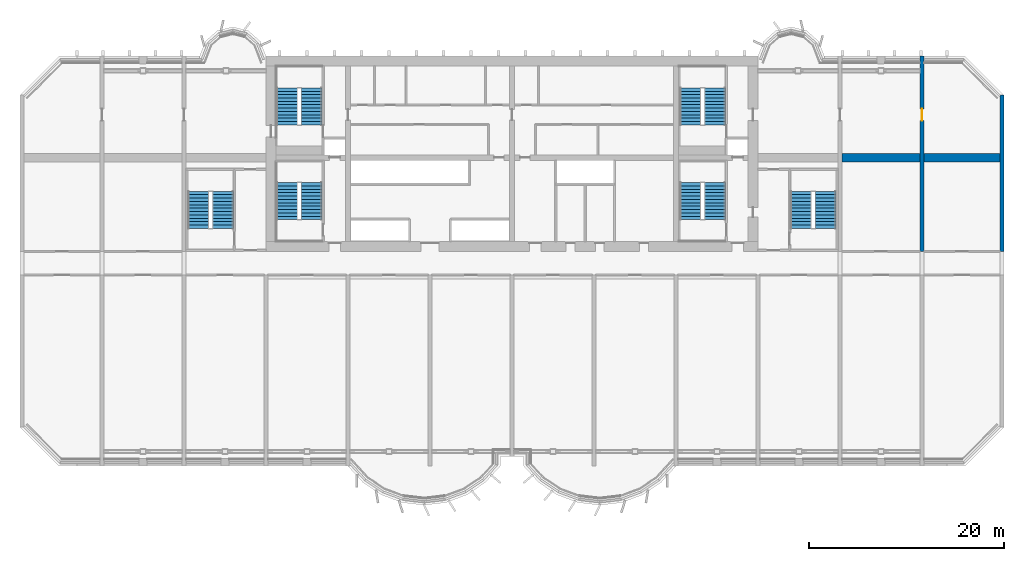
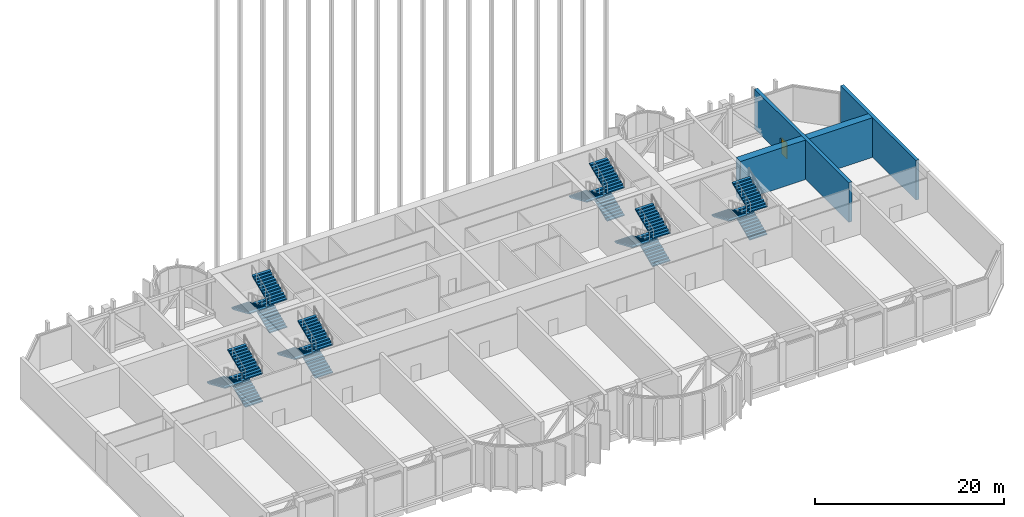
# One storey, part 9 of 17: 18 stair flights, 4 walls, 1 door, 1 opening, 6 elements without a shape of their own.
"""IFC4 building model written with IfcOpenShell, lengths in metres."""

from ifc_helpers import new_model, si_unit, direction, frame, frame_2d, origin, place, context, subcontext, project, spatial, polyline, rectangle, outline, extrude, source, transform, mapped, material, layer, layer_set, type_object, element, fill, aggregate, save


model = new_model("IFC4")

# Units and contexts
model_context = context("Model", 3, precision=1e-05, world=origin(), true_north=direction((0.0, 1.0)))
body_context = subcontext(model_context, "Body", "Model", "MODEL_VIEW")
ifc_project = project(units=[si_unit("LENGTHUNIT", "METRE"), si_unit("AREAUNIT", "SQUARE_METRE"), si_unit("VOLUMEUNIT", "CUBIC_METRE"), si_unit("PLANEANGLEUNIT", "RADIAN"), si_unit("MASSUNIT", "GRAM", prefix="KILO")], contexts=[model_context])

# Site, building, storey
site_placement = place(None, origin())
site = spatial("IfcSite", under=ifc_project, at=site_placement, CompositionType="ELEMENT")
building_placement = place(site_placement, origin())
building = spatial("IfcBuilding", under=site, at=building_placement, Name="Vanashikhar Sky Hotel", CompositionType="ELEMENT")
storey_placement = place(building_placement, frame((0.0, 0.0, 81.0)))
storey = spatial("IfcBuildingStorey", under=building, at=storey_placement, Name="L19", CompositionType="ELEMENT", Elevation=81.0)

# Wall
ifc_material_1 = material(Name="Concrete M80", Category="concrete")
ifc_layer_1 = layer(ifc_material_1, 0.39990234375)
ifc_layer_set_1 = layer_set([ifc_layer_1], Name="RC shear wall 400 Concrete M80")
wall_type_1 = type_object("IfcWallType", Name="RC shear wall 400 Concrete M80", PredefinedType="SHEAR", material=ifc_layer_set_1)
shared_shape_1 = source(origin(), body_context, "Body", "SweptSolid", [
    extrude(rectangle(XDim=16.0, YDim=0.39990234375, at=frame_2d((8.0, 0.0))), origin(), (0.0, 0.0, 1.0), 5.1201171875),
])
wall_1_placement = place(storey_placement, frame((100.60009765625, 22.0, 0.0), z_axis=(0.0, 0.0, 1.0), x_axis=(0.0, 1.0, 0.0)))
element("IfcWall", 1, at=wall_1_placement, inside=storey, type_object=wall_type_1, Name="CW-L19-XW13-2", PredefinedType="SHEAR", context=body_context, shape_type="MappedRepresentation", body=[
    mapped(shared_shape_1, transform((0.0, 0.0, 0.0), scale=1.0)),
])

# Wall, opening, door
shared_shape_2 = source(origin(), body_context, "Body", "SweptSolid", [
    extrude(rectangle(XDim=20.0, YDim=0.39990234375, at=frame_2d((10.0, 0.0))), origin(), (0.0, 0.0, 1.0), 5.1201171875),
])
wall_2_placement = place(storey_placement, frame((92.39990234375, 22.0, 0.0), z_axis=(0.0, 0.0, 1.0), x_axis=(0.0, 1.0, 0.0)))
wall_2 = element("IfcWall", 2, at=wall_2_placement, inside=storey, type_object=wall_type_1, Name="CW-L19-XW12-2", PredefinedType="SHEAR", context=body_context, shape_type="MappedRepresentation", body=[
    mapped(shared_shape_2, transform((0.0, 0.0, 0.0), scale=1.0)),
])
shared_shape_3 = source(origin(), body_context, "Body", "SweptSolid", [
    extrude(rectangle(XDim=1.199951171875, YDim=2.10009765625, at=frame_2d((0.60009765625, 1.050048828125))), frame((0.0, 0.2099609375, 0.0), z_axis=(0.0, -1.0, 0.0), x_axis=(1.0, 0.0, 0.0)), (0.0, 0.0, 1.0), 0.419921875),
])
opening_placement = place(wall_2_placement, frame((13.39990234375, 0.0, 0.0)))
opening = element("IfcOpeningElement", 3, at=opening_placement, cuts=wall_2, Name="Opening DC-4-D", PredefinedType="OPENING", context=body_context, shape_type="MappedRepresentation", body=[
    mapped(shared_shape_3, transform((0.0, 0.0, 0.0), scale=1.0)),
])
ifc_material_2 = material(Name="Steel", Category="steel")
door_type = type_object("IfcDoorType", Name="Service door 1200 FD120", OperationType="NOTDEFINED", PredefinedType="DOOR", material=ifc_material_2)
shared_shape_4 = source(origin(), body_context, "Body", "SweptSolid", [
    extrude(rectangle(XDim=1.199951171875, YDim=2.10009765625, at=frame_2d((0.60009765625, 1.050048828125))), frame((0.0, 0.02490234375, 0.0), z_axis=(0.0, -1.0, 0.0), x_axis=(1.0, 0.0, 0.0)), (0.0, 0.0, 1.0), 0.050048828125),
])
door_placement = place(opening_placement, origin())
door = element("IfcDoor", 4, at=door_placement, inside=storey, type_object=door_type, Name="Service door 1200 FD120", OperationType="SINGLE_SWING_RIGHT", OverallHeight=2.10009765625, OverallWidth=1.199951171875, PredefinedType="DOOR", context=body_context, shape_type="MappedRepresentation", body=[
    mapped(shared_shape_4, transform((0.0, 0.0, 0.0), scale=1.0)),
])
fill(opening, door)

# Walls
ifc_layer_2 = layer(ifc_material_1, 0.89990234375)
ifc_layer_set_2 = layer_set([ifc_layer_2], Name="RC outrigger wall 900 Concrete M80")
wall_type_2 = type_object("IfcWallType", Name="RC outrigger wall 900 Concrete M80", PredefinedType="SHEAR", material=ifc_layer_set_2)
shared_shape_5 = source(origin(), body_context, "Body", "SweptSolid", [
    extrude(rectangle(XDim=8.0, YDim=0.89990234375, at=frame_2d((4.0, 0.0))), origin(), (0.0, 0.0, 1.0), 5.1201171875),
])
wall_3_placement = place(storey_placement, frame((84.199951171875, 31.60009765625, 0.0), z_axis=(0.0, 0.0, 1.0), x_axis=(1.0, 0.0, 0.0)))
element("IfcWall", 5, at=wall_3_placement, inside=storey, type_object=wall_type_2, Name="OW-L19-05", PredefinedType="SHEAR", context=body_context, shape_type="MappedRepresentation", body=[
    mapped(shared_shape_5, transform((0.0, 0.0, 0.0), scale=1.0)),
])
shared_shape_6 = source(origin(), body_context, "Body", "SweptSolid", [
    extrude(rectangle(XDim=7.7998046875, YDim=0.89990234375, at=frame_2d((3.89990234375, 0.0))), origin(), (0.0, 0.0, 1.0), 5.1201171875),
])
wall_4_placement = place(storey_placement, frame((92.60009765625, 31.60009765625, 0.0), z_axis=(0.0, 0.0, 1.0), x_axis=(1.0, 0.0, 0.0)))
element("IfcWall", 6, at=wall_4_placement, inside=storey, type_object=wall_type_2, Name="OW-L19-06", PredefinedType="SHEAR", context=body_context, shape_type="MappedRepresentation", body=[
    mapped(shared_shape_6, transform((0.0, 0.0, 0.0), scale=1.0)),
])

# Stair, stair flights
ifc_material_3 = material(Name="Concrete M40", Category="concrete")
stair_type = type_object("IfcStairType", Name="Exit stair 2150", PredefinedType="DOUBLE_RETURN_STAIR", material=ifc_material_3)
stair_1_placement = place(storey_placement, origin())
stair_1 = element("IfcStair", 7, at=stair_1_placement, inside=storey, type_object=stair_type, Name="L19 Exit stair 1", PredefinedType="DOUBLE_RETURN_STAIR")
stair_flight_type = type_object("IfcStairFlightType", Name="Stair flight 2150", PredefinedType="STRAIGHT", material=ifc_material_3)
shared_shape_7 = source(origin(), body_context, "Body", "SweptSolid", [
    extrude(outline(polyline([(0.0, 0.0), (0.0, 0.14990234375), (0.345458984375, 0.14990234375), (0.345458984375, 0.300048828125), (0.69091796875, 0.300048828125), (0.69091796875, 0.449951171875), (1.036376953125, 0.449951171875), (1.036376953125, 0.60009765625), (1.3818359375, 0.60009765625), (1.3818359375, 0.75), (1.727294921875, 0.75), (1.727294921875, 0.89990234375), (2.07275390625, 0.89990234375), (2.07275390625, 1.050048828125), (2.418212890625, 1.050048828125), (2.418212890625, 1.199951171875), (2.763671875, 1.199951171875), (2.763671875, 1.35009765625), (3.109130859375, 1.35009765625), (3.109130859375, 1.5), (3.45458984375, 1.5), (3.45458984375, 1.64990234375), (3.800048828125, 1.64990234375), (3.800048828125, 1.800048828125), (3.800048828125, 1.51904296875), (0.301513671875, 0.0), (0.0, 0.0)])), frame((0.0, 1.074951171875, 0.0), z_axis=(0.0, -1.0, 0.0), x_axis=(1.0, 0.0, 0.0)), (0.0, 0.0, 1.0), 2.14990234375),
])
stair_flight_1_placement = place(storey_placement, frame((29.875, 25.25, 0.0), z_axis=(0.0, 0.0, 1.0), x_axis=(0.0, 1.0, 0.0)))
stair_flight_1 = element("IfcStairFlight", 8, at=stair_flight_1_placement, type_object=stair_flight_type, Name="ST-C1 flight 1", NumberOfRisers=12, NumberOfTreads=11, PredefinedType="STRAIGHT", RiserHeight=0.15, TreadLength=0.345454545, context=body_context, shape_type="MappedRepresentation", body=[
    mapped(shared_shape_7, transform((0.0, 0.0, 0.0), scale=1.0)),
])
stair_flight_2_placement = place(storey_placement, frame((27.375, 29.050048828125, 1.800048828125), z_axis=(0.0, 0.0, 1.0), x_axis=(0.0, -1.0, 0.0)))
stair_flight_2 = element("IfcStairFlight", 9, at=stair_flight_2_placement, type_object=stair_flight_type, Name="ST-C1 flight 2", NumberOfRisers=12, NumberOfTreads=11, PredefinedType="STRAIGHT", RiserHeight=0.15, TreadLength=0.345454545, context=body_context, shape_type="MappedRepresentation", body=[
    mapped(shared_shape_7, transform((0.0, 0.0, 0.0), scale=1.0)),
])
stair_flight_3_placement = place(storey_placement, frame((29.875, 25.25, 3.60009765625), z_axis=(0.0, 0.0, 1.0), x_axis=(0.0, 1.0, 0.0)))
stair_flight_3 = element("IfcStairFlight", 10, at=stair_flight_3_placement, type_object=stair_flight_type, Name="ST-C1 flight 3", NumberOfRisers=12, NumberOfTreads=11, PredefinedType="STRAIGHT", RiserHeight=0.15, TreadLength=0.345454545, context=body_context, shape_type="MappedRepresentation", body=[
    mapped(shared_shape_7, transform((0.0, 0.0, 0.0), scale=1.0)),
])
aggregate(stair_1, [stair_flight_1, stair_flight_2, stair_flight_3])

stair_2_placement = place(storey_placement, origin())
stair_2 = element("IfcStair", 11, at=stair_2_placement, inside=storey, type_object=stair_type, Name="L19 Exit stair 2", PredefinedType="DOUBLE_RETURN_STAIR")
stair_flight_4_placement = place(storey_placement, frame((71.175048828125, 25.25, 0.0), z_axis=(0.0, 0.0, 1.0), x_axis=(0.0, 1.0, 0.0)))
stair_flight_4 = element("IfcStairFlight", 12, at=stair_flight_4_placement, type_object=stair_flight_type, Name="ST-C2 flight 1", NumberOfRisers=12, NumberOfTreads=11, PredefinedType="STRAIGHT", RiserHeight=0.15, TreadLength=0.345454545, context=body_context, shape_type="MappedRepresentation", body=[
    mapped(shared_shape_7, transform((0.0, 0.0, 0.0), scale=1.0)),
])
stair_flight_5_placement = place(storey_placement, frame((68.675048828125, 29.050048828125, 1.800048828125), z_axis=(0.0, 0.0, 1.0), x_axis=(0.0, -1.0, 0.0)))
stair_flight_5 = element("IfcStairFlight", 13, at=stair_flight_5_placement, type_object=stair_flight_type, Name="ST-C2 flight 2", NumberOfRisers=12, NumberOfTreads=11, PredefinedType="STRAIGHT", RiserHeight=0.15, TreadLength=0.345454545, context=body_context, shape_type="MappedRepresentation", body=[
    mapped(shared_shape_7, transform((0.0, 0.0, 0.0), scale=1.0)),
])
stair_flight_6_placement = place(storey_placement, frame((71.175048828125, 25.25, 3.60009765625), z_axis=(0.0, 0.0, 1.0), x_axis=(0.0, 1.0, 0.0)))
stair_flight_6 = element("IfcStairFlight", 14, at=stair_flight_6_placement, type_object=stair_flight_type, Name="ST-C2 flight 3", NumberOfRisers=12, NumberOfTreads=11, PredefinedType="STRAIGHT", RiserHeight=0.15, TreadLength=0.345454545, context=body_context, shape_type="MappedRepresentation", body=[
    mapped(shared_shape_7, transform((0.0, 0.0, 0.0), scale=1.0)),
])
aggregate(stair_2, [stair_flight_4, stair_flight_5, stair_flight_6])

stair_3_placement = place(storey_placement, origin())
stair_3 = element("IfcStair", 15, at=stair_3_placement, inside=storey, type_object=stair_type, Name="L19 Exit stair 3", PredefinedType="DOUBLE_RETURN_STAIR")
stair_flight_7_placement = place(storey_placement, frame((20.77490234375, 24.35009765625, 0.0), z_axis=(0.0, 0.0, 1.0), x_axis=(0.0, 1.0, 0.0)))
stair_flight_7 = element("IfcStairFlight", 16, at=stair_flight_7_placement, type_object=stair_flight_type, Name="ST-W flight 1", NumberOfRisers=12, NumberOfTreads=11, PredefinedType="STRAIGHT", RiserHeight=0.15, TreadLength=0.345454545, context=body_context, shape_type="MappedRepresentation", body=[
    mapped(shared_shape_7, transform((0.0, 0.0, 0.0), scale=1.0)),
])
stair_flight_8_placement = place(storey_placement, frame((18.27490234375, 28.14990234375, 1.800048828125), z_axis=(0.0, 0.0, 1.0), x_axis=(0.0, -1.0, 0.0)))
stair_flight_8 = element("IfcStairFlight", 17, at=stair_flight_8_placement, type_object=stair_flight_type, Name="ST-W flight 2", NumberOfRisers=12, NumberOfTreads=11, PredefinedType="STRAIGHT", RiserHeight=0.15, TreadLength=0.345454545, context=body_context, shape_type="MappedRepresentation", body=[
    mapped(shared_shape_7, transform((0.0, 0.0, 0.0), scale=1.0)),
])
stair_flight_9_placement = place(storey_placement, frame((20.77490234375, 24.35009765625, 3.60009765625), z_axis=(0.0, 0.0, 1.0), x_axis=(0.0, 1.0, 0.0)))
stair_flight_9 = element("IfcStairFlight", 18, at=stair_flight_9_placement, type_object=stair_flight_type, Name="ST-W flight 3", NumberOfRisers=12, NumberOfTreads=11, PredefinedType="STRAIGHT", RiserHeight=0.15, TreadLength=0.345454545, context=body_context, shape_type="MappedRepresentation", body=[
    mapped(shared_shape_7, transform((0.0, 0.0, 0.0), scale=1.0)),
])
aggregate(stair_3, [stair_flight_7, stair_flight_8, stair_flight_9])

stair_4_placement = place(storey_placement, origin())
stair_4 = element("IfcStair", 19, at=stair_4_placement, inside=storey, type_object=stair_type, Name="L19 Exit stair 4", PredefinedType="DOUBLE_RETURN_STAIR")
stair_flight_10_placement = place(storey_placement, frame((82.52490234375, 24.35009765625, 0.0), z_axis=(0.0, 0.0, 1.0), x_axis=(0.0, 1.0, 0.0)))
stair_flight_10 = element("IfcStairFlight", 20, at=stair_flight_10_placement, type_object=stair_flight_type, Name="ST-E flight 1", NumberOfRisers=12, NumberOfTreads=11, PredefinedType="STRAIGHT", RiserHeight=0.15, TreadLength=0.345454545, context=body_context, shape_type="MappedRepresentation", body=[
    mapped(shared_shape_7, transform((0.0, 0.0, 0.0), scale=1.0)),
])
stair_flight_11_placement = place(storey_placement, frame((80.02490234375, 28.14990234375, 1.800048828125), z_axis=(0.0, 0.0, 1.0), x_axis=(0.0, -1.0, 0.0)))
stair_flight_11 = element("IfcStairFlight", 21, at=stair_flight_11_placement, type_object=stair_flight_type, Name="ST-E flight 2", NumberOfRisers=12, NumberOfTreads=11, PredefinedType="STRAIGHT", RiserHeight=0.15, TreadLength=0.345454545, context=body_context, shape_type="MappedRepresentation", body=[
    mapped(shared_shape_7, transform((0.0, 0.0, 0.0), scale=1.0)),
])
stair_flight_12_placement = place(storey_placement, frame((82.52490234375, 24.35009765625, 3.60009765625), z_axis=(0.0, 0.0, 1.0), x_axis=(0.0, 1.0, 0.0)))
stair_flight_12 = element("IfcStairFlight", 22, at=stair_flight_12_placement, type_object=stair_flight_type, Name="ST-E flight 3", NumberOfRisers=12, NumberOfTreads=11, PredefinedType="STRAIGHT", RiserHeight=0.15, TreadLength=0.345454545, context=body_context, shape_type="MappedRepresentation", body=[
    mapped(shared_shape_7, transform((0.0, 0.0, 0.0), scale=1.0)),
])
aggregate(stair_4, [stair_flight_10, stair_flight_11, stair_flight_12])

stair_5_placement = place(storey_placement, origin())
stair_5 = element("IfcStair", 23, at=stair_5_placement, inside=storey, type_object=stair_type, Name="L19 Exit stair 5", PredefinedType="DOUBLE_RETURN_STAIR")
stair_flight_13_placement = place(storey_placement, frame((29.875, 34.949951171875, 0.0), z_axis=(0.0, 0.0, 1.0), x_axis=(0.0, 1.0, 0.0)))
stair_flight_13 = element("IfcStairFlight", 24, at=stair_flight_13_placement, type_object=stair_flight_type, Name="ST-C3 flight 1", NumberOfRisers=12, NumberOfTreads=11, PredefinedType="STRAIGHT", RiserHeight=0.15, TreadLength=0.345454545, context=body_context, shape_type="MappedRepresentation", body=[
    mapped(shared_shape_7, transform((0.0, 0.0, 0.0), scale=1.0)),
])
stair_flight_14_placement = place(storey_placement, frame((27.375, 38.75, 1.800048828125), z_axis=(0.0, 0.0, 1.0), x_axis=(0.0, -1.0, 0.0)))
stair_flight_14 = element("IfcStairFlight", 25, at=stair_flight_14_placement, type_object=stair_flight_type, Name="ST-C3 flight 2", NumberOfRisers=12, NumberOfTreads=11, PredefinedType="STRAIGHT", RiserHeight=0.15, TreadLength=0.345454545, context=body_context, shape_type="MappedRepresentation", body=[
    mapped(shared_shape_7, transform((0.0, 0.0, 0.0), scale=1.0)),
])
stair_flight_15_placement = place(storey_placement, frame((29.875, 34.949951171875, 3.60009765625), z_axis=(0.0, 0.0, 1.0), x_axis=(0.0, 1.0, 0.0)))
stair_flight_15 = element("IfcStairFlight", 26, at=stair_flight_15_placement, type_object=stair_flight_type, Name="ST-C3 flight 3", NumberOfRisers=12, NumberOfTreads=11, PredefinedType="STRAIGHT", RiserHeight=0.15, TreadLength=0.345454545, context=body_context, shape_type="MappedRepresentation", body=[
    mapped(shared_shape_7, transform((0.0, 0.0, 0.0), scale=1.0)),
])
aggregate(stair_5, [stair_flight_13, stair_flight_14, stair_flight_15])

stair_6_placement = place(storey_placement, origin())
stair_6 = element("IfcStair", 27, at=stair_6_placement, inside=storey, type_object=stair_type, Name="L19 Exit stair 6", PredefinedType="DOUBLE_RETURN_STAIR")
stair_flight_16_placement = place(storey_placement, frame((71.175048828125, 34.949951171875, 0.0), z_axis=(0.0, 0.0, 1.0), x_axis=(0.0, 1.0, 0.0)))
stair_flight_16 = element("IfcStairFlight", 28, at=stair_flight_16_placement, type_object=stair_flight_type, Name="ST-C4 flight 1", NumberOfRisers=12, NumberOfTreads=11, PredefinedType="STRAIGHT", RiserHeight=0.15, TreadLength=0.345454545, context=body_context, shape_type="MappedRepresentation", body=[
    mapped(shared_shape_7, transform((0.0, 0.0, 0.0), scale=1.0)),
])
stair_flight_17_placement = place(storey_placement, frame((68.675048828125, 38.75, 1.800048828125), z_axis=(0.0, 0.0, 1.0), x_axis=(0.0, -1.0, 0.0)))
stair_flight_17 = element("IfcStairFlight", 29, at=stair_flight_17_placement, type_object=stair_flight_type, Name="ST-C4 flight 2", NumberOfRisers=12, NumberOfTreads=11, PredefinedType="STRAIGHT", RiserHeight=0.15, TreadLength=0.345454545, context=body_context, shape_type="MappedRepresentation", body=[
    mapped(shared_shape_7, transform((0.0, 0.0, 0.0), scale=1.0)),
])
stair_flight_18_placement = place(storey_placement, frame((71.175048828125, 34.949951171875, 3.60009765625), z_axis=(0.0, 0.0, 1.0), x_axis=(0.0, 1.0, 0.0)))
stair_flight_18 = element("IfcStairFlight", 30, at=stair_flight_18_placement, type_object=stair_flight_type, Name="ST-C4 flight 3", NumberOfRisers=12, NumberOfTreads=11, PredefinedType="STRAIGHT", RiserHeight=0.15, TreadLength=0.345454545, context=body_context, shape_type="MappedRepresentation", body=[
    mapped(shared_shape_7, transform((0.0, 0.0, 0.0), scale=1.0)),
])
aggregate(stair_6, [stair_flight_16, stair_flight_17, stair_flight_18])

save(model, "model.ifc")
